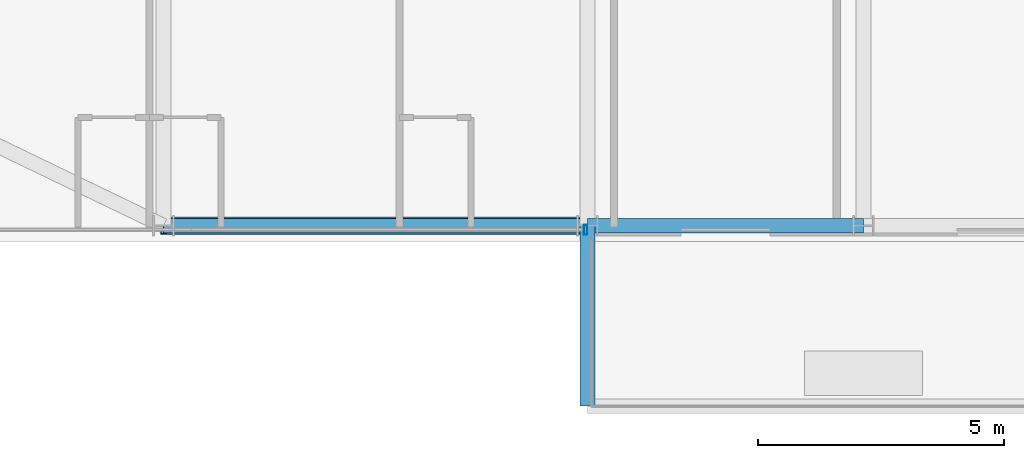
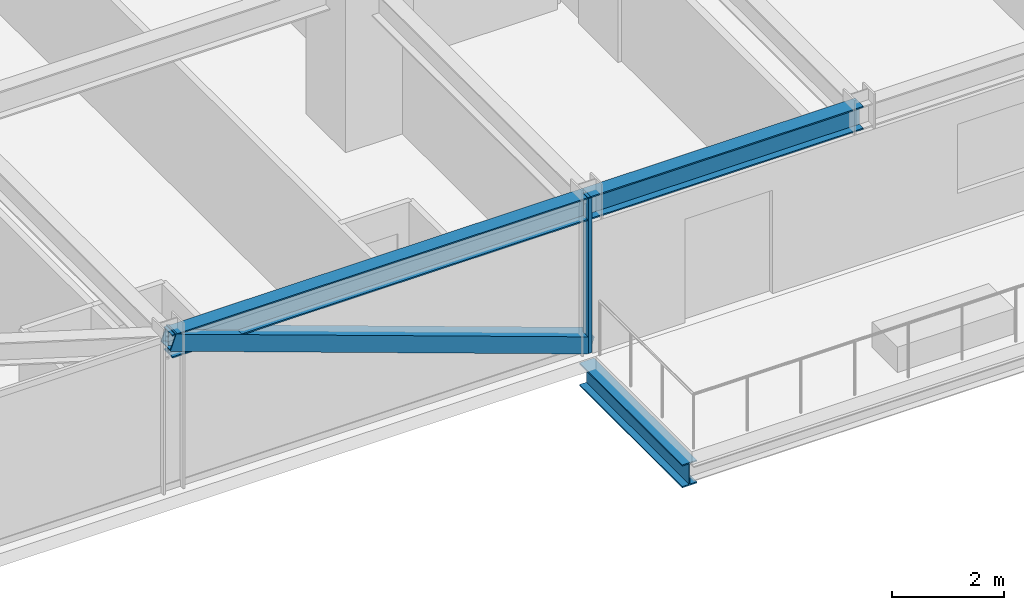
# One storey, part 5 of 38: 3 beams, 2 members, 1 element without a shape of its own.
"""IFC4 building model written with IfcOpenShell, lengths in metres."""

from ifc_helpers import new_model, si_unit, direction, frame, origin, origin_2d, place, context, subcontext, project, spatial, hollow_rectangle, i_section, extrude, source, transform, mapped, material, material_profile, profile_set, type_object, element, aggregate, save


model = new_model("IFC4")

# Units and contexts
model_context = context("Model", 3, precision=1e-05, world=origin(), true_north=direction((0.0, 1.0)))
body_context = subcontext(model_context, "Body", "Model", "MODEL_VIEW")
ifc_project = project(units=[si_unit("LENGTHUNIT", "METRE"), si_unit("AREAUNIT", "SQUARE_METRE"), si_unit("VOLUMEUNIT", "CUBIC_METRE"), si_unit("PLANEANGLEUNIT", "RADIAN"), si_unit("MASSUNIT", "GRAM", prefix="KILO")], contexts=[model_context])

# Site, building, storey
site_placement = place(None, origin())
site = spatial("IfcSite", under=ifc_project, at=site_placement, CompositionType="ELEMENT")
building_placement = place(site_placement, origin())
building = spatial("IfcBuilding", under=site, at=building_placement, Name="Nahalor Promenade Grand Hotel", CompositionType="ELEMENT")
storey_placement = place(building_placement, frame((0.0, 0.0, 50.64990234375)))
storey = spatial("IfcBuildingStorey", under=building, at=storey_placement, Name="L11", CompositionType="ELEMENT", Elevation=50.64990234375)

# Beams
ifc_material_1 = material(Name="Steel S355JR", Category="steel")
ifc_material_profile_1 = material_profile(ifc_material_1, i_section(OverallWidth=0.3, OverallDepth=0.5, WebThickness=0.0145, FlangeThickness=0.028, at=origin_2d()), Name="HEB 500")
ifc_profile_set_1 = profile_set([ifc_material_profile_1], Name="Steel S355JR")
beam_type_1 = type_object("IfcBeamType", Name="Beam-Outrigger-HEB500", PredefinedType="BEAM", material=ifc_profile_set_1)
shared_shape_1 = source(origin(), body_context, "Body", "SweptSolid", [
    extrude(i_section(OverallWidth=0.3, OverallDepth=0.5, WebThickness=0.0145, FlangeThickness=0.028, at=origin_2d()), origin(), (0.0, 0.0, 1.0), 3.659912109375),
])
beam_1_placement = place(storey_placement, frame((-8.39990234375, -28.739990234375, -0.52978515625), z_axis=(0.0, 1.0, 0.0), x_axis=(-1.0, 0.0, 0.0)))
element("IfcBeam", 1, at=beam_1_placement, inside=storey, type_object=beam_type_1, Name="BM-L11-BC-01-1", PredefinedType="BEAM", context=body_context, shape_type="MappedRepresentation", body=[
    mapped(shared_shape_1, transform((0.0, 0.0, 0.0), scale=1.0)),
])
ifc_material_profile_2 = material_profile(ifc_material_1, i_section(OverallWidth=0.3, OverallDepth=0.5, WebThickness=0.0145, FlangeThickness=0.028, at=origin_2d()), Name="HEB 500")
ifc_profile_set_2 = profile_set([ifc_material_profile_2], Name="Steel S355JR")
beam_type_2 = type_object("IfcBeamType", Name="Beam-Spandrel-HEB500", PredefinedType="SPANDREL", material=ifc_profile_set_2)
shared_shape_2 = source(origin(), body_context, "Body", "SweptSolid", [
    extrude(i_section(OverallWidth=0.3, OverallDepth=0.5, WebThickness=0.0145, FlangeThickness=0.028, at=origin_2d()), origin(), (0.0, 0.0, 1.0), 8.60009765625),
])
beam_2_placement = place(storey_placement, frame((-17.0, -25.080078125, 3.1201171875), z_axis=(1.0, 0.0, 0.0), x_axis=(0.0, 1.0, 0.0)))
element("IfcBeam", 2, at=beam_2_placement, inside=storey, type_object=beam_type_2, Name="BM-L11-SP-S-0", PredefinedType="SPANDREL", context=body_context, shape_type="MappedRepresentation", body=[
    mapped(shared_shape_2, transform((0.0, 0.0, 0.0), scale=1.0)),
])
shared_shape_3 = source(origin(), body_context, "Body", "SweptSolid", [
    extrude(i_section(OverallWidth=0.3, OverallDepth=0.5, WebThickness=0.0145, FlangeThickness=0.028, at=origin_2d()), origin(), (0.0, 0.0, 1.0), 5.599853515625),
])
beam_3_placement = place(storey_placement, frame((-8.39990234375, -25.080078125, 3.1201171875), z_axis=(1.0, 0.0, 0.0), x_axis=(0.0, 1.0, 0.0)))
element("IfcBeam", 3, at=beam_3_placement, inside=storey, type_object=beam_type_2, Name="BM-L11-SP-S-1", PredefinedType="SPANDREL", context=body_context, shape_type="MappedRepresentation", body=[
    mapped(shared_shape_3, transform((0.0, 0.0, 0.0), scale=1.0)),
])

# Member
ifc_material_profile_3 = material_profile(ifc_material_1, hollow_rectangle(XDim=0.35, YDim=0.35, WallThickness=0.02, at=origin_2d()), Name="SHS 350x350x20")
ifc_profile_set_3 = profile_set([ifc_material_profile_3], Name="Steel S355JR")
member_type_1 = type_object("IfcMemberType", Name="Mem-VoidBrace-SHS350", PredefinedType="BRACE", material=ifc_profile_set_3)
shared_shape_4 = source(origin(), body_context, "Body", "SweptSolid", [
    extrude(hollow_rectangle(XDim=0.35, YDim=0.35, WallThickness=0.02, at=origin_2d()), origin(), (0.0, 0.0, 1.0), 9.131591796875),
])
member_1_placement = place(storey_placement, frame((-8.39990234375, -25.080078125, 0.150146484375), z_axis=(-0.941790292179, 0.0, 0.336200900589), x_axis=(0.0, -1.0, 0.0)))
element("IfcMember", 4, at=member_1_placement, inside=storey, type_object=member_type_1, Name="EXO-L11-S-0", PredefinedType="BRACE", context=body_context, shape_type="MappedRepresentation", body=[
    mapped(shared_shape_4, transform((0.0, 0.0, 0.0), scale=1.0)),
])

# Curtain wall, member
ifc_material_2 = material(Name="Anodised Bronze Aluminium EN AW-6063 T6", Category="aluminium")
curtain_wall_type = type_object("IfcCurtainWallType", Name="CW3 Elliptical-Void Collar Unitised Curtain Wall", PredefinedType="USERDEFINED", material=ifc_material_2)
curtain_wall_placement = place(storey_placement, origin())
curtain_wall = element("IfcCurtainWall", 5, at=curtain_wall_placement, inside=storey, type_object=curtain_wall_type, Name="L11 Curtain Wall CW-L11-S-1", ObjectType="UNITISED_CURTAIN_WALL", PredefinedType="USERDEFINED")
ifc_material_profile_4 = material_profile(ifc_material_2, hollow_rectangle(XDim=0.07, YDim=0.2, WallThickness=0.005, at=origin_2d()), Name="CWM 70x200x5")
ifc_profile_set_4 = profile_set([ifc_material_profile_4], Name="Anodised Bronze Aluminium EN AW-6063 T6")
member_type_2 = type_object("IfcMemberType", Name="CWM3 Void Collar Mullion 70x200", PredefinedType="MULLION", material=ifc_profile_set_4)
shared_shape_5 = source(origin(), body_context, "Body", "SweptSolid", [
    extrude(hollow_rectangle(XDim=0.07, YDim=0.2, WallThickness=0.005, at=origin_2d()), origin(), (0.0, 0.0, 1.0), 3.3701171875),
])
member_2_placement = place(storey_placement, frame((-8.43505859375, -25.159912109375, 0.0), z_axis=(0.0, 0.0, 1.0), x_axis=(1.0, 0.0, 0.0)))
member_2 = element("IfcMember", 6, at=member_2_placement, type_object=member_type_2, Name="CW-L11-S-1 Mullion 1", PredefinedType="MULLION", context=body_context, shape_type="MappedRepresentation", body=[
    mapped(shared_shape_5, transform((0.0, 0.0, 0.0), scale=1.0)),
])
aggregate(curtain_wall, [member_2])

save(model, "model.ifc")
